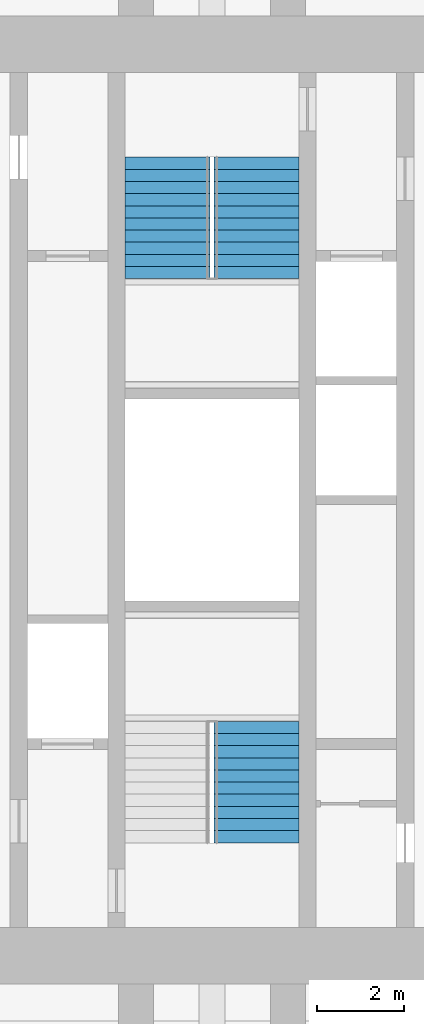
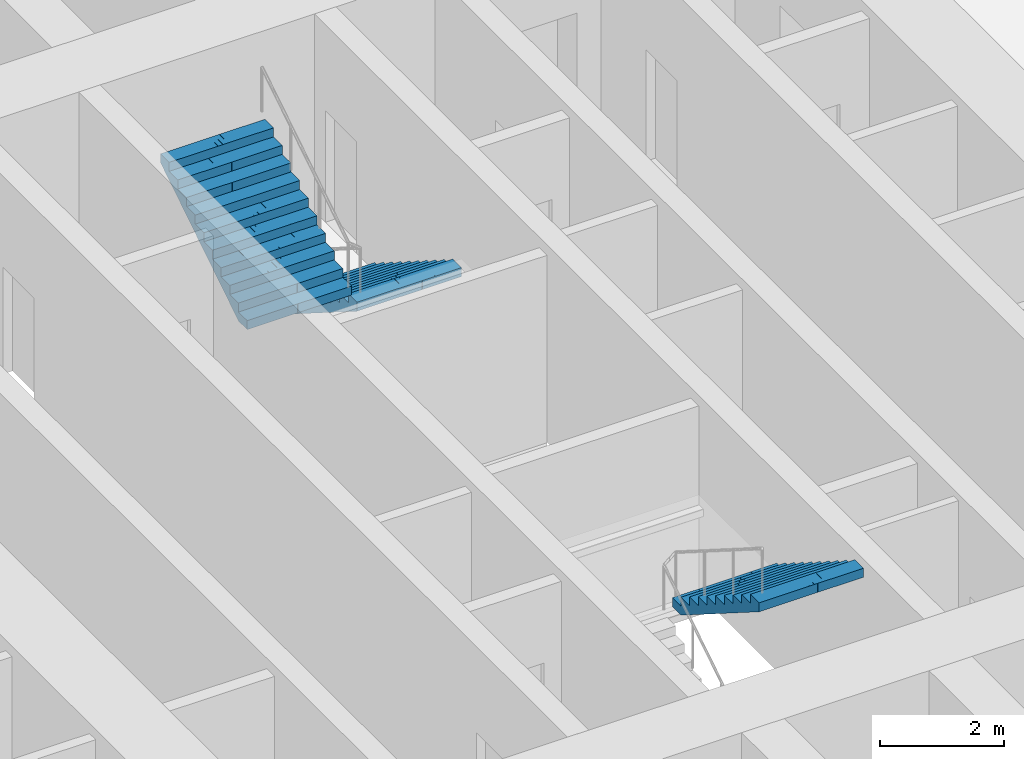
# One storey, part 16 of 17: 3 stair flights, 2 elements without a shape of their own.
"""IFC4 building model written with IfcOpenShell, lengths in metres."""

from ifc_helpers import new_model, si_unit, direction, frame, origin, place, context, subcontext, project, spatial, polyline, outline, extrude, material, type_object, element, aggregate, save


model = new_model("IFC4")

# Units and contexts
model_context = context("Model", 3, precision=1e-05, world=origin(), true_north=direction((0.0, 1.0)))
body_context = subcontext(model_context, "Body", "Model", "MODEL_VIEW")
ifc_project = project(units=[si_unit("LENGTHUNIT", "METRE"), si_unit("AREAUNIT", "SQUARE_METRE"), si_unit("VOLUMEUNIT", "CUBIC_METRE"), si_unit("PLANEANGLEUNIT", "RADIAN"), si_unit("MASSUNIT", "GRAM", prefix="KILO")], contexts=[model_context])

# Site, building, storey
site_placement = place(None, origin())
site = spatial("IfcSite", under=ifc_project, at=site_placement, CompositionType="ELEMENT")
building_placement = place(site_placement, origin())
building = spatial("IfcBuilding", under=site, at=building_placement, Name="Mizan Broadcast Tower", CompositionType="ELEMENT")
storey_placement = place(building_placement, frame((0.0, 0.0, 251.699951171875)))
storey = spatial("IfcBuildingStorey", under=building, at=storey_placement, Name="L59", CompositionType="ELEMENT", Elevation=251.699951171875)

# Stair, stair flight
ifc_material_1 = material(Name="Concrete C40/50", Category="concrete")
stair_type = type_object("IfcStairType", Name="EXIT STAIR", PredefinedType="HALF_TURN_STAIR", material=ifc_material_1)
stair_1_placement = place(storey_placement, origin())
stair_1 = element("IfcStair", 1, at=stair_1_placement, inside=storey, type_object=stair_type, Name="Stair A L59", PredefinedType="HALF_TURN_STAIR")
ifc_material_2 = material(Name="Concrete C40/50", Category="concrete")
stair_flight_type = type_object("IfcStairFlightType", Name="EXIT STAIR FLIGHT", PredefinedType="STRAIGHT", material=ifc_material_2)
stair_flight_1_placement = place(storey_placement, frame((1.02490234375, -5.10009765625, 1.949951171875), z_axis=(0.0, 0.0, 1.0), x_axis=(0.0, -1.0, 0.0)))
stair_flight_1 = element("IfcStairFlight", 2, at=stair_flight_1_placement, type_object=stair_flight_type, Name="A flight 2", NumberOfRisers=11, NumberOfTreads=10, PredefinedType="STRAIGHT", RiserHeight=0.177272727, TreadLength=0.28, context=body_context, shape_type="SweptSolid", body=[
    extrude(outline(polyline([(0.0, 0.0), (0.0, 0.17724609375), (0.280029296875, 0.17724609375), (0.280029296875, 0.3544921875), (0.56005859375, 0.3544921875), (0.56005859375, 0.53173828125), (0.840087890625, 0.53173828125), (0.840087890625, 0.708984375), (1.1201171875, 0.708984375), (1.1201171875, 0.886474609375), (1.39990234375, 0.886474609375), (1.39990234375, 1.063720703125), (1.679931640625, 1.063720703125), (1.679931640625, 1.240966796875), (1.9599609375, 1.240966796875), (1.9599609375, 1.418212890625), (2.239990234375, 1.418212890625), (2.239990234375, 1.595458984375), (2.52001953125, 1.595458984375), (2.52001953125, 1.772705078125), (2.800048828125, 1.772705078125), (2.800048828125, 1.949951171875), (2.800048828125, 1.59521484375), (0.2802734375, 0.0), (0.0, 0.0)])), frame((0.0, 0.97509765625, 0.0), z_axis=(0.0, -1.0, 0.0), x_axis=(1.0, 0.0, 0.0)), (0.0, 0.0, 1.0), 0.4873046875),
    extrude(outline(polyline([(0.0, 0.0), (0.0, 0.17724609375), (0.280029296875, 0.17724609375), (0.280029296875, 0.3544921875), (0.56005859375, 0.3544921875), (0.56005859375, 0.53173828125), (0.840087890625, 0.53173828125), (0.840087890625, 0.708984375), (1.1201171875, 0.708984375), (1.1201171875, 0.886474609375), (1.39990234375, 0.886474609375), (1.39990234375, 1.063720703125), (1.679931640625, 1.063720703125), (1.679931640625, 1.240966796875), (1.9599609375, 1.240966796875), (1.9599609375, 1.418212890625), (2.239990234375, 1.418212890625), (2.239990234375, 1.595458984375), (2.52001953125, 1.595458984375), (2.52001953125, 1.772705078125), (2.800048828125, 1.772705078125), (2.800048828125, 1.949951171875), (2.800048828125, 1.59521484375), (0.2802734375, 0.0), (0.0, 0.0)])), frame((0.0, 0.4873046875, 0.0), z_axis=(0.0, -1.0, 0.0), x_axis=(1.0, 0.0, 0.0)), (0.0, 0.0, 1.0), 0.2431640625),
    extrude(outline(polyline([(0.0, 0.0), (0.0, 0.17724609375), (0.280029296875, 0.17724609375), (0.280029296875, 0.3544921875), (0.56005859375, 0.3544921875), (0.56005859375, 0.53173828125), (0.840087890625, 0.53173828125), (0.840087890625, 0.708984375), (1.1201171875, 0.708984375), (1.1201171875, 0.886474609375), (1.39990234375, 0.886474609375), (1.39990234375, 1.063720703125), (1.679931640625, 1.063720703125), (1.679931640625, 1.240966796875), (1.9599609375, 1.240966796875), (1.9599609375, 1.418212890625), (2.239990234375, 1.418212890625), (2.239990234375, 1.595458984375), (2.52001953125, 1.595458984375), (2.52001953125, 1.772705078125), (2.800048828125, 1.772705078125), (2.800048828125, 1.949951171875), (2.800048828125, 1.59521484375), (0.2802734375, 0.0), (0.0, 0.0)])), frame((0.0, 0.24365234375, 0.0), z_axis=(0.0, -1.0, 0.0), x_axis=(1.0, 0.0, 0.0)), (0.0, 0.0, 1.0), 0.121337890625),
    extrude(outline(polyline([(0.0, 0.0), (0.0, 0.17724609375), (0.280029296875, 0.17724609375), (0.280029296875, 0.3544921875), (0.56005859375, 0.3544921875), (0.56005859375, 0.53173828125), (0.840087890625, 0.53173828125), (0.840087890625, 0.708984375), (1.1201171875, 0.708984375), (1.1201171875, 0.886474609375), (1.39990234375, 0.886474609375), (1.39990234375, 1.063720703125), (1.679931640625, 1.063720703125), (1.679931640625, 1.240966796875), (1.9599609375, 1.240966796875), (1.9599609375, 1.418212890625), (2.239990234375, 1.418212890625), (2.239990234375, 1.595458984375), (2.52001953125, 1.595458984375), (2.52001953125, 1.772705078125), (2.800048828125, 1.772705078125), (2.800048828125, 1.949951171875), (2.800048828125, 1.59521484375), (0.2802734375, 0.0), (0.0, 0.0)])), frame((0.0, 0.121826171875, 0.0), z_axis=(0.0, -1.0, 0.0), x_axis=(1.0, 0.0, 0.0)), (0.0, 0.0, 1.0), 0.060546875),
    extrude(outline(polyline([(0.0, 0.0), (0.0, 0.17724609375), (0.280029296875, 0.17724609375), (0.280029296875, 0.3544921875), (0.56005859375, 0.3544921875), (0.56005859375, 0.53173828125), (0.840087890625, 0.53173828125), (0.840087890625, 0.708984375), (1.1201171875, 0.708984375), (1.1201171875, 0.886474609375), (1.39990234375, 0.886474609375), (1.39990234375, 1.063720703125), (1.679931640625, 1.063720703125), (1.679931640625, 1.240966796875), (1.9599609375, 1.240966796875), (1.9599609375, 1.418212890625), (2.239990234375, 1.418212890625), (2.239990234375, 1.595458984375), (2.52001953125, 1.595458984375), (2.52001953125, 1.772705078125), (2.800048828125, 1.772705078125), (2.800048828125, 1.949951171875), (2.800048828125, 1.59521484375), (0.2802734375, 0.0), (0.0, 0.0)])), frame((0.0, 0.060791015625, 0.0), z_axis=(0.0, -1.0, 0.0), x_axis=(1.0, 0.0, 0.0)), (0.0, 0.0, 1.0), 0.030029296875),
    extrude(outline(polyline([(0.0, 0.0), (0.0, 0.17724609375), (0.280029296875, 0.17724609375), (0.280029296875, 0.3544921875), (0.56005859375, 0.3544921875), (0.56005859375, 0.53173828125), (0.840087890625, 0.53173828125), (0.840087890625, 0.708984375), (1.1201171875, 0.708984375), (1.1201171875, 0.886474609375), (1.39990234375, 0.886474609375), (1.39990234375, 1.063720703125), (1.679931640625, 1.063720703125), (1.679931640625, 1.240966796875), (1.9599609375, 1.240966796875), (1.9599609375, 1.418212890625), (2.239990234375, 1.418212890625), (2.239990234375, 1.595458984375), (2.52001953125, 1.595458984375), (2.52001953125, 1.772705078125), (2.800048828125, 1.772705078125), (2.800048828125, 1.949951171875), (2.800048828125, 1.59521484375), (0.2802734375, 0.0), (0.0, 0.0)])), frame((0.0, 0.0302734375, 0.0), z_axis=(0.0, -1.0, 0.0), x_axis=(1.0, 0.0, 0.0)), (0.0, 0.0, 1.0), 0.060302734375),
    extrude(outline(polyline([(0.0, 0.0), (0.0, 0.17724609375), (0.280029296875, 0.17724609375), (0.280029296875, 0.3544921875), (0.56005859375, 0.3544921875), (0.56005859375, 0.53173828125), (0.840087890625, 0.53173828125), (0.840087890625, 0.708984375), (1.1201171875, 0.708984375), (1.1201171875, 0.886474609375), (1.39990234375, 0.886474609375), (1.39990234375, 1.063720703125), (1.679931640625, 1.063720703125), (1.679931640625, 1.240966796875), (1.9599609375, 1.240966796875), (1.9599609375, 1.418212890625), (2.239990234375, 1.418212890625), (2.239990234375, 1.595458984375), (2.52001953125, 1.595458984375), (2.52001953125, 1.772705078125), (2.800048828125, 1.772705078125), (2.800048828125, 1.949951171875), (2.800048828125, 1.59521484375), (0.2802734375, 0.0), (0.0, 0.0)])), frame((0.0, -0.030517578125, 0.0), z_axis=(0.0, -1.0, 0.0), x_axis=(1.0, 0.0, 0.0)), (0.0, 0.0, 1.0), 0.030029296875),
    extrude(outline(polyline([(0.0, 0.0), (0.0, 0.17724609375), (0.280029296875, 0.17724609375), (0.280029296875, 0.3544921875), (0.56005859375, 0.3544921875), (0.56005859375, 0.53173828125), (0.840087890625, 0.53173828125), (0.840087890625, 0.708984375), (1.1201171875, 0.708984375), (1.1201171875, 0.886474609375), (1.39990234375, 0.886474609375), (1.39990234375, 1.063720703125), (1.679931640625, 1.063720703125), (1.679931640625, 1.240966796875), (1.9599609375, 1.240966796875), (1.9599609375, 1.418212890625), (2.239990234375, 1.418212890625), (2.239990234375, 1.595458984375), (2.52001953125, 1.595458984375), (2.52001953125, 1.772705078125), (2.800048828125, 1.772705078125), (2.800048828125, 1.949951171875), (2.800048828125, 1.59521484375), (0.2802734375, 0.0), (0.0, 0.0)])), frame((0.0, -0.06103515625, 0.0), z_axis=(0.0, -1.0, 0.0), x_axis=(1.0, 0.0, 0.0)), (0.0, 0.0, 1.0), 0.060546875),
    extrude(outline(polyline([(0.0, 0.0), (0.0, 0.17724609375), (0.280029296875, 0.17724609375), (0.280029296875, 0.3544921875), (0.56005859375, 0.3544921875), (0.56005859375, 0.53173828125), (0.840087890625, 0.53173828125), (0.840087890625, 0.708984375), (1.1201171875, 0.708984375), (1.1201171875, 0.886474609375), (1.39990234375, 0.886474609375), (1.39990234375, 1.063720703125), (1.679931640625, 1.063720703125), (1.679931640625, 1.240966796875), (1.9599609375, 1.240966796875), (1.9599609375, 1.418212890625), (2.239990234375, 1.418212890625), (2.239990234375, 1.595458984375), (2.52001953125, 1.595458984375), (2.52001953125, 1.772705078125), (2.800048828125, 1.772705078125), (2.800048828125, 1.949951171875), (2.800048828125, 1.59521484375), (0.2802734375, 0.0), (0.0, 0.0)])), frame((0.0, -0.1220703125, 0.0), z_axis=(0.0, -1.0, 0.0), x_axis=(1.0, 0.0, 0.0)), (0.0, 0.0, 1.0), 0.121337890625),
    extrude(outline(polyline([(0.0, 0.0), (0.0, 0.17724609375), (0.280029296875, 0.17724609375), (0.280029296875, 0.3544921875), (0.56005859375, 0.3544921875), (0.56005859375, 0.53173828125), (0.840087890625, 0.53173828125), (0.840087890625, 0.708984375), (1.1201171875, 0.708984375), (1.1201171875, 0.886474609375), (1.39990234375, 0.886474609375), (1.39990234375, 1.063720703125), (1.679931640625, 1.063720703125), (1.679931640625, 1.240966796875), (1.9599609375, 1.240966796875), (1.9599609375, 1.418212890625), (2.239990234375, 1.418212890625), (2.239990234375, 1.595458984375), (2.52001953125, 1.595458984375), (2.52001953125, 1.772705078125), (2.800048828125, 1.772705078125), (2.800048828125, 1.949951171875), (2.800048828125, 1.59521484375), (0.2802734375, 0.0), (0.0, 0.0)])), frame((0.0, -0.243896484375, 0.0), z_axis=(0.0, -1.0, 0.0), x_axis=(1.0, 0.0, 0.0)), (0.0, 0.0, 1.0), 0.2431640625),
    extrude(outline(polyline([(0.0, 0.0), (0.0, 0.17724609375), (0.280029296875, 0.17724609375), (0.280029296875, 0.3544921875), (0.56005859375, 0.3544921875), (0.56005859375, 0.53173828125), (0.840087890625, 0.53173828125), (0.840087890625, 0.708984375), (1.1201171875, 0.708984375), (1.1201171875, 0.886474609375), (1.39990234375, 0.886474609375), (1.39990234375, 1.063720703125), (1.679931640625, 1.063720703125), (1.679931640625, 1.240966796875), (1.9599609375, 1.240966796875), (1.9599609375, 1.418212890625), (2.239990234375, 1.418212890625), (2.239990234375, 1.595458984375), (2.52001953125, 1.595458984375), (2.52001953125, 1.772705078125), (2.800048828125, 1.772705078125), (2.800048828125, 1.949951171875), (2.800048828125, 1.59521484375), (0.2802734375, 0.0), (0.0, 0.0)])), frame((0.0, -0.487548828125, 0.0), z_axis=(0.0, -1.0, 0.0), x_axis=(1.0, 0.0, 0.0)), (0.0, 0.0, 1.0), 0.4873046875),
])
aggregate(stair_1, [stair_flight_1])

# Stair, stair flights
stair_2_placement = place(storey_placement, origin())
stair_2 = element("IfcStair", 3, at=stair_2_placement, inside=storey, type_object=stair_type, Name="Stair B L59", PredefinedType="HALF_TURN_STAIR")
stair_flight_2_placement = place(storey_placement, frame((1.02490234375, 7.89990234375, 0.0), z_axis=(0.0, 0.0, 1.0), x_axis=(0.0, -1.0, 0.0)))
stair_flight_2 = element("IfcStairFlight", 4, at=stair_flight_2_placement, type_object=stair_flight_type, Name="B flight 1", NumberOfRisers=11, NumberOfTreads=10, PredefinedType="STRAIGHT", RiserHeight=0.177272727, TreadLength=0.28, context=body_context, shape_type="SweptSolid", body=[
    extrude(outline(polyline([(0.0, 0.0), (0.0, 0.17724609375), (0.280029296875, 0.17724609375), (0.280029296875, 0.3544921875), (0.56005859375, 0.3544921875), (0.56005859375, 0.53173828125), (0.840087890625, 0.53173828125), (0.840087890625, 0.708984375), (1.1201171875, 0.708984375), (1.1201171875, 0.886474609375), (1.39990234375, 0.886474609375), (1.39990234375, 1.063720703125), (1.679931640625, 1.063720703125), (1.679931640625, 1.240966796875), (1.9599609375, 1.240966796875), (1.9599609375, 1.418212890625), (2.239990234375, 1.418212890625), (2.239990234375, 1.595458984375), (2.52001953125, 1.595458984375), (2.52001953125, 1.772705078125), (2.800048828125, 1.772705078125), (2.800048828125, 1.949951171875), (2.800048828125, 1.59521484375), (0.2802734375, 0.0), (0.0, 0.0)])), frame((0.0, 0.97509765625, 0.0), z_axis=(0.0, -1.0, 0.0), x_axis=(1.0, 0.0, 0.0)), (0.0, 0.0, 1.0), 0.4873046875),
    extrude(outline(polyline([(0.0, 0.0), (0.0, 0.17724609375), (0.280029296875, 0.17724609375), (0.280029296875, 0.3544921875), (0.56005859375, 0.3544921875), (0.56005859375, 0.53173828125), (0.840087890625, 0.53173828125), (0.840087890625, 0.708984375), (1.1201171875, 0.708984375), (1.1201171875, 0.886474609375), (1.39990234375, 0.886474609375), (1.39990234375, 1.063720703125), (1.679931640625, 1.063720703125), (1.679931640625, 1.240966796875), (1.9599609375, 1.240966796875), (1.9599609375, 1.418212890625), (2.239990234375, 1.418212890625), (2.239990234375, 1.595458984375), (2.52001953125, 1.595458984375), (2.52001953125, 1.772705078125), (2.800048828125, 1.772705078125), (2.800048828125, 1.949951171875), (2.800048828125, 1.59521484375), (0.2802734375, 0.0), (0.0, 0.0)])), frame((0.0, 0.4873046875, 0.0), z_axis=(0.0, -1.0, 0.0), x_axis=(1.0, 0.0, 0.0)), (0.0, 0.0, 1.0), 0.2431640625),
    extrude(outline(polyline([(0.0, 0.0), (0.0, 0.17724609375), (0.280029296875, 0.17724609375), (0.280029296875, 0.3544921875), (0.56005859375, 0.3544921875), (0.56005859375, 0.53173828125), (0.840087890625, 0.53173828125), (0.840087890625, 0.708984375), (1.1201171875, 0.708984375), (1.1201171875, 0.886474609375), (1.39990234375, 0.886474609375), (1.39990234375, 1.063720703125), (1.679931640625, 1.063720703125), (1.679931640625, 1.240966796875), (1.9599609375, 1.240966796875), (1.9599609375, 1.418212890625), (2.239990234375, 1.418212890625), (2.239990234375, 1.595458984375), (2.52001953125, 1.595458984375), (2.52001953125, 1.772705078125), (2.800048828125, 1.772705078125), (2.800048828125, 1.949951171875), (2.800048828125, 1.59521484375), (0.2802734375, 0.0), (0.0, 0.0)])), frame((0.0, 0.24365234375, 0.0), z_axis=(0.0, -1.0, 0.0), x_axis=(1.0, 0.0, 0.0)), (0.0, 0.0, 1.0), 0.121337890625),
    extrude(outline(polyline([(0.0, 0.0), (0.0, 0.17724609375), (0.280029296875, 0.17724609375), (0.280029296875, 0.3544921875), (0.56005859375, 0.3544921875), (0.56005859375, 0.53173828125), (0.840087890625, 0.53173828125), (0.840087890625, 0.708984375), (1.1201171875, 0.708984375), (1.1201171875, 0.886474609375), (1.39990234375, 0.886474609375), (1.39990234375, 1.063720703125), (1.679931640625, 1.063720703125), (1.679931640625, 1.240966796875), (1.9599609375, 1.240966796875), (1.9599609375, 1.418212890625), (2.239990234375, 1.418212890625), (2.239990234375, 1.595458984375), (2.52001953125, 1.595458984375), (2.52001953125, 1.772705078125), (2.800048828125, 1.772705078125), (2.800048828125, 1.949951171875), (2.800048828125, 1.59521484375), (0.2802734375, 0.0), (0.0, 0.0)])), frame((0.0, 0.121826171875, 0.0), z_axis=(0.0, -1.0, 0.0), x_axis=(1.0, 0.0, 0.0)), (0.0, 0.0, 1.0), 0.060546875),
    extrude(outline(polyline([(0.0, 0.0), (0.0, 0.17724609375), (0.280029296875, 0.17724609375), (0.280029296875, 0.3544921875), (0.56005859375, 0.3544921875), (0.56005859375, 0.53173828125), (0.840087890625, 0.53173828125), (0.840087890625, 0.708984375), (1.1201171875, 0.708984375), (1.1201171875, 0.886474609375), (1.39990234375, 0.886474609375), (1.39990234375, 1.063720703125), (1.679931640625, 1.063720703125), (1.679931640625, 1.240966796875), (1.9599609375, 1.240966796875), (1.9599609375, 1.418212890625), (2.239990234375, 1.418212890625), (2.239990234375, 1.595458984375), (2.52001953125, 1.595458984375), (2.52001953125, 1.772705078125), (2.800048828125, 1.772705078125), (2.800048828125, 1.949951171875), (2.800048828125, 1.59521484375), (0.2802734375, 0.0), (0.0, 0.0)])), frame((0.0, 0.060791015625, 0.0), z_axis=(0.0, -1.0, 0.0), x_axis=(1.0, 0.0, 0.0)), (0.0, 0.0, 1.0), 0.030029296875),
    extrude(outline(polyline([(0.0, 0.0), (0.0, 0.17724609375), (0.280029296875, 0.17724609375), (0.280029296875, 0.3544921875), (0.56005859375, 0.3544921875), (0.56005859375, 0.53173828125), (0.840087890625, 0.53173828125), (0.840087890625, 0.708984375), (1.1201171875, 0.708984375), (1.1201171875, 0.886474609375), (1.39990234375, 0.886474609375), (1.39990234375, 1.063720703125), (1.679931640625, 1.063720703125), (1.679931640625, 1.240966796875), (1.9599609375, 1.240966796875), (1.9599609375, 1.418212890625), (2.239990234375, 1.418212890625), (2.239990234375, 1.595458984375), (2.52001953125, 1.595458984375), (2.52001953125, 1.772705078125), (2.800048828125, 1.772705078125), (2.800048828125, 1.949951171875), (2.800048828125, 1.59521484375), (0.2802734375, 0.0), (0.0, 0.0)])), frame((0.0, 0.0302734375, 0.0), z_axis=(0.0, -1.0, 0.0), x_axis=(1.0, 0.0, 0.0)), (0.0, 0.0, 1.0), 0.060302734375),
    extrude(outline(polyline([(0.0, 0.0), (0.0, 0.17724609375), (0.280029296875, 0.17724609375), (0.280029296875, 0.3544921875), (0.56005859375, 0.3544921875), (0.56005859375, 0.53173828125), (0.840087890625, 0.53173828125), (0.840087890625, 0.708984375), (1.1201171875, 0.708984375), (1.1201171875, 0.886474609375), (1.39990234375, 0.886474609375), (1.39990234375, 1.063720703125), (1.679931640625, 1.063720703125), (1.679931640625, 1.240966796875), (1.9599609375, 1.240966796875), (1.9599609375, 1.418212890625), (2.239990234375, 1.418212890625), (2.239990234375, 1.595458984375), (2.52001953125, 1.595458984375), (2.52001953125, 1.772705078125), (2.800048828125, 1.772705078125), (2.800048828125, 1.949951171875), (2.800048828125, 1.59521484375), (0.2802734375, 0.0), (0.0, 0.0)])), frame((0.0, -0.030517578125, 0.0), z_axis=(0.0, -1.0, 0.0), x_axis=(1.0, 0.0, 0.0)), (0.0, 0.0, 1.0), 0.030029296875),
    extrude(outline(polyline([(0.0, 0.0), (0.0, 0.17724609375), (0.280029296875, 0.17724609375), (0.280029296875, 0.3544921875), (0.56005859375, 0.3544921875), (0.56005859375, 0.53173828125), (0.840087890625, 0.53173828125), (0.840087890625, 0.708984375), (1.1201171875, 0.708984375), (1.1201171875, 0.886474609375), (1.39990234375, 0.886474609375), (1.39990234375, 1.063720703125), (1.679931640625, 1.063720703125), (1.679931640625, 1.240966796875), (1.9599609375, 1.240966796875), (1.9599609375, 1.418212890625), (2.239990234375, 1.418212890625), (2.239990234375, 1.595458984375), (2.52001953125, 1.595458984375), (2.52001953125, 1.772705078125), (2.800048828125, 1.772705078125), (2.800048828125, 1.949951171875), (2.800048828125, 1.59521484375), (0.2802734375, 0.0), (0.0, 0.0)])), frame((0.0, -0.06103515625, 0.0), z_axis=(0.0, -1.0, 0.0), x_axis=(1.0, 0.0, 0.0)), (0.0, 0.0, 1.0), 0.060546875),
    extrude(outline(polyline([(0.0, 0.0), (0.0, 0.17724609375), (0.280029296875, 0.17724609375), (0.280029296875, 0.3544921875), (0.56005859375, 0.3544921875), (0.56005859375, 0.53173828125), (0.840087890625, 0.53173828125), (0.840087890625, 0.708984375), (1.1201171875, 0.708984375), (1.1201171875, 0.886474609375), (1.39990234375, 0.886474609375), (1.39990234375, 1.063720703125), (1.679931640625, 1.063720703125), (1.679931640625, 1.240966796875), (1.9599609375, 1.240966796875), (1.9599609375, 1.418212890625), (2.239990234375, 1.418212890625), (2.239990234375, 1.595458984375), (2.52001953125, 1.595458984375), (2.52001953125, 1.772705078125), (2.800048828125, 1.772705078125), (2.800048828125, 1.949951171875), (2.800048828125, 1.59521484375), (0.2802734375, 0.0), (0.0, 0.0)])), frame((0.0, -0.1220703125, 0.0), z_axis=(0.0, -1.0, 0.0), x_axis=(1.0, 0.0, 0.0)), (0.0, 0.0, 1.0), 0.121337890625),
    extrude(outline(polyline([(0.0, 0.0), (0.0, 0.17724609375), (0.280029296875, 0.17724609375), (0.280029296875, 0.3544921875), (0.56005859375, 0.3544921875), (0.56005859375, 0.53173828125), (0.840087890625, 0.53173828125), (0.840087890625, 0.708984375), (1.1201171875, 0.708984375), (1.1201171875, 0.886474609375), (1.39990234375, 0.886474609375), (1.39990234375, 1.063720703125), (1.679931640625, 1.063720703125), (1.679931640625, 1.240966796875), (1.9599609375, 1.240966796875), (1.9599609375, 1.418212890625), (2.239990234375, 1.418212890625), (2.239990234375, 1.595458984375), (2.52001953125, 1.595458984375), (2.52001953125, 1.772705078125), (2.800048828125, 1.772705078125), (2.800048828125, 1.949951171875), (2.800048828125, 1.59521484375), (0.2802734375, 0.0), (0.0, 0.0)])), frame((0.0, -0.243896484375, 0.0), z_axis=(0.0, -1.0, 0.0), x_axis=(1.0, 0.0, 0.0)), (0.0, 0.0, 1.0), 0.2431640625),
    extrude(outline(polyline([(0.0, 0.0), (0.0, 0.17724609375), (0.280029296875, 0.17724609375), (0.280029296875, 0.3544921875), (0.56005859375, 0.3544921875), (0.56005859375, 0.53173828125), (0.840087890625, 0.53173828125), (0.840087890625, 0.708984375), (1.1201171875, 0.708984375), (1.1201171875, 0.886474609375), (1.39990234375, 0.886474609375), (1.39990234375, 1.063720703125), (1.679931640625, 1.063720703125), (1.679931640625, 1.240966796875), (1.9599609375, 1.240966796875), (1.9599609375, 1.418212890625), (2.239990234375, 1.418212890625), (2.239990234375, 1.595458984375), (2.52001953125, 1.595458984375), (2.52001953125, 1.772705078125), (2.800048828125, 1.772705078125), (2.800048828125, 1.949951171875), (2.800048828125, 1.59521484375), (0.2802734375, 0.0), (0.0, 0.0)])), frame((0.0, -0.487548828125, 0.0), z_axis=(0.0, -1.0, 0.0), x_axis=(1.0, 0.0, 0.0)), (0.0, 0.0, 1.0), 0.4873046875),
])
stair_flight_3_placement = place(storey_placement, frame((-1.02490234375, 5.10009765625, 1.949951171875), z_axis=(0.0, 0.0, 1.0), x_axis=(0.0, 1.0, 0.0)))
stair_flight_3 = element("IfcStairFlight", 5, at=stair_flight_3_placement, type_object=stair_flight_type, Name="B flight 2", NumberOfRisers=11, NumberOfTreads=10, PredefinedType="STRAIGHT", RiserHeight=0.177272727, TreadLength=0.28, context=body_context, shape_type="SweptSolid", body=[
    extrude(outline(polyline([(0.0, 0.0), (0.0, 0.17724609375), (0.280029296875, 0.17724609375), (0.280029296875, 0.3544921875), (0.56005859375, 0.3544921875), (0.56005859375, 0.53173828125), (0.840087890625, 0.53173828125), (0.840087890625, 0.708984375), (1.1201171875, 0.708984375), (1.1201171875, 0.886474609375), (1.39990234375, 0.886474609375), (1.39990234375, 1.063720703125), (1.679931640625, 1.063720703125), (1.679931640625, 1.240966796875), (1.9599609375, 1.240966796875), (1.9599609375, 1.418212890625), (2.239990234375, 1.418212890625), (2.239990234375, 1.595458984375), (2.52001953125, 1.595458984375), (2.52001953125, 1.772705078125), (2.800048828125, 1.772705078125), (2.800048828125, 1.949951171875), (2.800048828125, 1.59521484375), (0.2802734375, 0.0), (0.0, 0.0)])), frame((0.0, 0.97509765625, 0.0), z_axis=(0.0, -1.0, 0.0), x_axis=(1.0, 0.0, 0.0)), (0.0, 0.0, 1.0), 0.4873046875),
    extrude(outline(polyline([(0.0, 0.0), (0.0, 0.17724609375), (0.280029296875, 0.17724609375), (0.280029296875, 0.3544921875), (0.56005859375, 0.3544921875), (0.56005859375, 0.53173828125), (0.840087890625, 0.53173828125), (0.840087890625, 0.708984375), (1.1201171875, 0.708984375), (1.1201171875, 0.886474609375), (1.39990234375, 0.886474609375), (1.39990234375, 1.063720703125), (1.679931640625, 1.063720703125), (1.679931640625, 1.240966796875), (1.9599609375, 1.240966796875), (1.9599609375, 1.418212890625), (2.239990234375, 1.418212890625), (2.239990234375, 1.595458984375), (2.52001953125, 1.595458984375), (2.52001953125, 1.772705078125), (2.800048828125, 1.772705078125), (2.800048828125, 1.949951171875), (2.800048828125, 1.59521484375), (0.2802734375, 0.0), (0.0, 0.0)])), frame((0.0, 0.4873046875, 0.0), z_axis=(0.0, -1.0, 0.0), x_axis=(1.0, 0.0, 0.0)), (0.0, 0.0, 1.0), 0.2431640625),
    extrude(outline(polyline([(0.0, 0.0), (0.0, 0.17724609375), (0.280029296875, 0.17724609375), (0.280029296875, 0.3544921875), (0.56005859375, 0.3544921875), (0.56005859375, 0.53173828125), (0.840087890625, 0.53173828125), (0.840087890625, 0.708984375), (1.1201171875, 0.708984375), (1.1201171875, 0.886474609375), (1.39990234375, 0.886474609375), (1.39990234375, 1.063720703125), (1.679931640625, 1.063720703125), (1.679931640625, 1.240966796875), (1.9599609375, 1.240966796875), (1.9599609375, 1.418212890625), (2.239990234375, 1.418212890625), (2.239990234375, 1.595458984375), (2.52001953125, 1.595458984375), (2.52001953125, 1.772705078125), (2.800048828125, 1.772705078125), (2.800048828125, 1.949951171875), (2.800048828125, 1.59521484375), (0.2802734375, 0.0), (0.0, 0.0)])), frame((0.0, 0.24365234375, 0.0), z_axis=(0.0, -1.0, 0.0), x_axis=(1.0, 0.0, 0.0)), (0.0, 0.0, 1.0), 0.121337890625),
    extrude(outline(polyline([(0.0, 0.0), (0.0, 0.17724609375), (0.280029296875, 0.17724609375), (0.280029296875, 0.3544921875), (0.56005859375, 0.3544921875), (0.56005859375, 0.53173828125), (0.840087890625, 0.53173828125), (0.840087890625, 0.708984375), (1.1201171875, 0.708984375), (1.1201171875, 0.886474609375), (1.39990234375, 0.886474609375), (1.39990234375, 1.063720703125), (1.679931640625, 1.063720703125), (1.679931640625, 1.240966796875), (1.9599609375, 1.240966796875), (1.9599609375, 1.418212890625), (2.239990234375, 1.418212890625), (2.239990234375, 1.595458984375), (2.52001953125, 1.595458984375), (2.52001953125, 1.772705078125), (2.800048828125, 1.772705078125), (2.800048828125, 1.949951171875), (2.800048828125, 1.59521484375), (0.2802734375, 0.0), (0.0, 0.0)])), frame((0.0, 0.121826171875, 0.0), z_axis=(0.0, -1.0, 0.0), x_axis=(1.0, 0.0, 0.0)), (0.0, 0.0, 1.0), 0.060546875),
    extrude(outline(polyline([(0.0, 0.0), (0.0, 0.17724609375), (0.280029296875, 0.17724609375), (0.280029296875, 0.3544921875), (0.56005859375, 0.3544921875), (0.56005859375, 0.53173828125), (0.840087890625, 0.53173828125), (0.840087890625, 0.708984375), (1.1201171875, 0.708984375), (1.1201171875, 0.886474609375), (1.39990234375, 0.886474609375), (1.39990234375, 1.063720703125), (1.679931640625, 1.063720703125), (1.679931640625, 1.240966796875), (1.9599609375, 1.240966796875), (1.9599609375, 1.418212890625), (2.239990234375, 1.418212890625), (2.239990234375, 1.595458984375), (2.52001953125, 1.595458984375), (2.52001953125, 1.772705078125), (2.800048828125, 1.772705078125), (2.800048828125, 1.949951171875), (2.800048828125, 1.59521484375), (0.2802734375, 0.0), (0.0, 0.0)])), frame((0.0, 0.060791015625, 0.0), z_axis=(0.0, -1.0, 0.0), x_axis=(1.0, 0.0, 0.0)), (0.0, 0.0, 1.0), 0.030029296875),
    extrude(outline(polyline([(0.0, 0.0), (0.0, 0.17724609375), (0.280029296875, 0.17724609375), (0.280029296875, 0.3544921875), (0.56005859375, 0.3544921875), (0.56005859375, 0.53173828125), (0.840087890625, 0.53173828125), (0.840087890625, 0.708984375), (1.1201171875, 0.708984375), (1.1201171875, 0.886474609375), (1.39990234375, 0.886474609375), (1.39990234375, 1.063720703125), (1.679931640625, 1.063720703125), (1.679931640625, 1.240966796875), (1.9599609375, 1.240966796875), (1.9599609375, 1.418212890625), (2.239990234375, 1.418212890625), (2.239990234375, 1.595458984375), (2.52001953125, 1.595458984375), (2.52001953125, 1.772705078125), (2.800048828125, 1.772705078125), (2.800048828125, 1.949951171875), (2.800048828125, 1.59521484375), (0.2802734375, 0.0), (0.0, 0.0)])), frame((0.0, 0.0302734375, 0.0), z_axis=(0.0, -1.0, 0.0), x_axis=(1.0, 0.0, 0.0)), (0.0, 0.0, 1.0), 0.060302734375),
    extrude(outline(polyline([(0.0, 0.0), (0.0, 0.17724609375), (0.280029296875, 0.17724609375), (0.280029296875, 0.3544921875), (0.56005859375, 0.3544921875), (0.56005859375, 0.53173828125), (0.840087890625, 0.53173828125), (0.840087890625, 0.708984375), (1.1201171875, 0.708984375), (1.1201171875, 0.886474609375), (1.39990234375, 0.886474609375), (1.39990234375, 1.063720703125), (1.679931640625, 1.063720703125), (1.679931640625, 1.240966796875), (1.9599609375, 1.240966796875), (1.9599609375, 1.418212890625), (2.239990234375, 1.418212890625), (2.239990234375, 1.595458984375), (2.52001953125, 1.595458984375), (2.52001953125, 1.772705078125), (2.800048828125, 1.772705078125), (2.800048828125, 1.949951171875), (2.800048828125, 1.59521484375), (0.2802734375, 0.0), (0.0, 0.0)])), frame((0.0, -0.030517578125, 0.0), z_axis=(0.0, -1.0, 0.0), x_axis=(1.0, 0.0, 0.0)), (0.0, 0.0, 1.0), 0.030029296875),
    extrude(outline(polyline([(0.0, 0.0), (0.0, 0.17724609375), (0.280029296875, 0.17724609375), (0.280029296875, 0.3544921875), (0.56005859375, 0.3544921875), (0.56005859375, 0.53173828125), (0.840087890625, 0.53173828125), (0.840087890625, 0.708984375), (1.1201171875, 0.708984375), (1.1201171875, 0.886474609375), (1.39990234375, 0.886474609375), (1.39990234375, 1.063720703125), (1.679931640625, 1.063720703125), (1.679931640625, 1.240966796875), (1.9599609375, 1.240966796875), (1.9599609375, 1.418212890625), (2.239990234375, 1.418212890625), (2.239990234375, 1.595458984375), (2.52001953125, 1.595458984375), (2.52001953125, 1.772705078125), (2.800048828125, 1.772705078125), (2.800048828125, 1.949951171875), (2.800048828125, 1.59521484375), (0.2802734375, 0.0), (0.0, 0.0)])), frame((0.0, -0.06103515625, 0.0), z_axis=(0.0, -1.0, 0.0), x_axis=(1.0, 0.0, 0.0)), (0.0, 0.0, 1.0), 0.060546875),
    extrude(outline(polyline([(0.0, 0.0), (0.0, 0.17724609375), (0.280029296875, 0.17724609375), (0.280029296875, 0.3544921875), (0.56005859375, 0.3544921875), (0.56005859375, 0.53173828125), (0.840087890625, 0.53173828125), (0.840087890625, 0.708984375), (1.1201171875, 0.708984375), (1.1201171875, 0.886474609375), (1.39990234375, 0.886474609375), (1.39990234375, 1.063720703125), (1.679931640625, 1.063720703125), (1.679931640625, 1.240966796875), (1.9599609375, 1.240966796875), (1.9599609375, 1.418212890625), (2.239990234375, 1.418212890625), (2.239990234375, 1.595458984375), (2.52001953125, 1.595458984375), (2.52001953125, 1.772705078125), (2.800048828125, 1.772705078125), (2.800048828125, 1.949951171875), (2.800048828125, 1.59521484375), (0.2802734375, 0.0), (0.0, 0.0)])), frame((0.0, -0.1220703125, 0.0), z_axis=(0.0, -1.0, 0.0), x_axis=(1.0, 0.0, 0.0)), (0.0, 0.0, 1.0), 0.121337890625),
    extrude(outline(polyline([(0.0, 0.0), (0.0, 0.17724609375), (0.280029296875, 0.17724609375), (0.280029296875, 0.3544921875), (0.56005859375, 0.3544921875), (0.56005859375, 0.53173828125), (0.840087890625, 0.53173828125), (0.840087890625, 0.708984375), (1.1201171875, 0.708984375), (1.1201171875, 0.886474609375), (1.39990234375, 0.886474609375), (1.39990234375, 1.063720703125), (1.679931640625, 1.063720703125), (1.679931640625, 1.240966796875), (1.9599609375, 1.240966796875), (1.9599609375, 1.418212890625), (2.239990234375, 1.418212890625), (2.239990234375, 1.595458984375), (2.52001953125, 1.595458984375), (2.52001953125, 1.772705078125), (2.800048828125, 1.772705078125), (2.800048828125, 1.949951171875), (2.800048828125, 1.59521484375), (0.2802734375, 0.0), (0.0, 0.0)])), frame((0.0, -0.243896484375, 0.0), z_axis=(0.0, -1.0, 0.0), x_axis=(1.0, 0.0, 0.0)), (0.0, 0.0, 1.0), 0.2431640625),
    extrude(outline(polyline([(0.0, 0.0), (0.0, 0.17724609375), (0.280029296875, 0.17724609375), (0.280029296875, 0.3544921875), (0.56005859375, 0.3544921875), (0.56005859375, 0.53173828125), (0.840087890625, 0.53173828125), (0.840087890625, 0.708984375), (1.1201171875, 0.708984375), (1.1201171875, 0.886474609375), (1.39990234375, 0.886474609375), (1.39990234375, 1.063720703125), (1.679931640625, 1.063720703125), (1.679931640625, 1.240966796875), (1.9599609375, 1.240966796875), (1.9599609375, 1.418212890625), (2.239990234375, 1.418212890625), (2.239990234375, 1.595458984375), (2.52001953125, 1.595458984375), (2.52001953125, 1.772705078125), (2.800048828125, 1.772705078125), (2.800048828125, 1.949951171875), (2.800048828125, 1.59521484375), (0.2802734375, 0.0), (0.0, 0.0)])), frame((0.0, -0.487548828125, 0.0), z_axis=(0.0, -1.0, 0.0), x_axis=(1.0, 0.0, 0.0)), (0.0, 0.0, 1.0), 0.4873046875),
])
aggregate(stair_2, [stair_flight_2, stair_flight_3])

save(model, "model.ifc")
